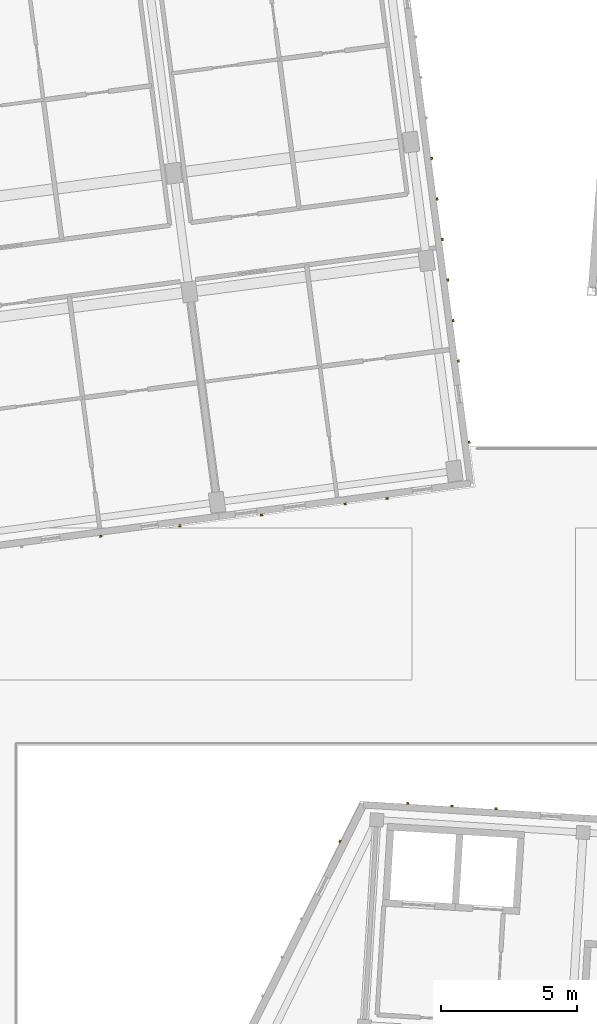
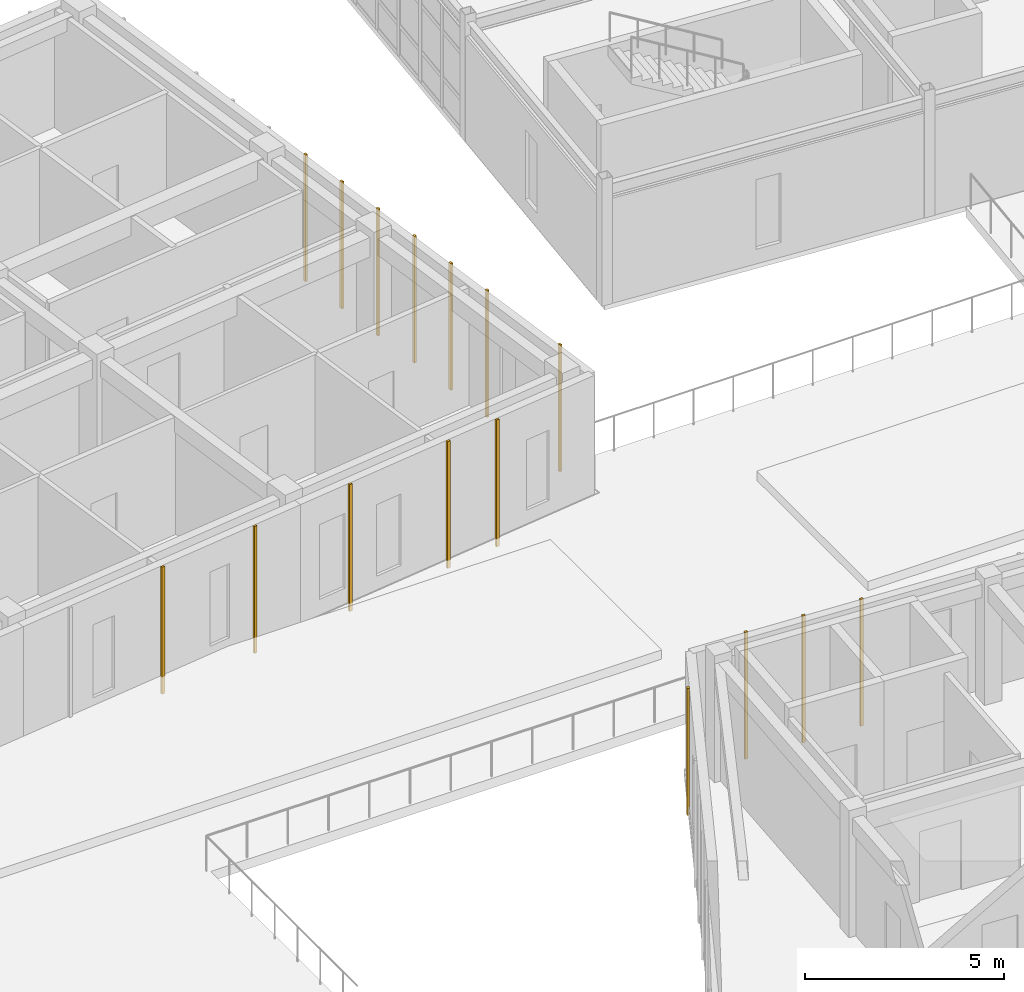
# One storey, part 127 of 150: 16 coverings.
"""IFC4 building model written with IfcOpenShell, lengths in metres."""

from ifc_helpers import new_model, si_unit, direction, frame, origin, origin_2d, place, context, subcontext, project, spatial, rectangle, extrude, material, layer, layer_set, type_object, element, save


model = new_model("IFC4")

# Units and contexts
model_context = context("Model", 3, precision=1e-05, world=origin(), true_north=direction((0.0, 1.0)))
body_context = subcontext(model_context, "Body", "Model", "MODEL_VIEW")
ifc_project = project(units=[si_unit("LENGTHUNIT", "METRE"), si_unit("AREAUNIT", "SQUARE_METRE"), si_unit("VOLUMEUNIT", "CUBIC_METRE"), si_unit("PLANEANGLEUNIT", "RADIAN"), si_unit("MASSUNIT", "GRAM", prefix="KILO")], contexts=[model_context])

# Site, building, storey
site_placement = place(None, origin())
site = spatial("IfcSite", under=ifc_project, at=site_placement, CompositionType="ELEMENT")
building_placement = place(site_placement, origin())
building = spatial("IfcBuilding", under=site, at=building_placement, Name="Kestramere Prow Commons", CompositionType="ELEMENT")
storey_placement = place(building_placement, frame((0.0, 0.0, 4.5)))
storey = spatial("IfcBuildingStorey", under=building, at=storey_placement, Name="L01", CompositionType="ELEMENT", Elevation=4.5)

# Coverings
ifc_material = material(Name="Weathered Zinc-Titanium Standing-Seam Cladding")
ifc_layer = layer(ifc_material, 0.074951171875)
ifc_layer_set = layer_set([ifc_layer], Name="Weathered Zinc-Titanium Standing-Seam Cladding")
covering_type = type_object("IfcCoveringType", Name="COV-CLAD-SEAM", PredefinedType="CLADDING", material=ifc_layer_set)
for number, where, z_axis, x_axis, name in (
    (1, (53.4580078125, 76.880126953125, -0.25), (0.0, 0.0, 1.0), (-0.991444861374, -0.13052619222, 0.0), "EW-A-L01-S-4 Standing-Seam Rib 1"),
    (2, (50.549560546875, 76.4970703125, -0.25), (0.0, 0.0, 1.0), (-0.991444861374, -0.13052619222, 0.0), "EW-A-L01-S-4 Standing-Seam Rib 3"),
    (3, (61.075439453125, 77.8828125, -0.25), (0.0, 0.0, 1.0), (-0.991444861374, -0.13052619222, 0.0), "EW-A-L01-S-5 Standing-Seam Rib 2"),
    (4, (59.53466796875, 77.679931640625, -0.25), (0.0, 0.0, 1.0), (-0.991444861374, -0.13052619222, 0.0), "EW-A-L01-S-5 Standing-Seam Rib 3"),
    (5, (56.452880859375, 77.2744140625, -0.25), (0.0, 0.0, 1.0), (-0.991444861374, -0.13052619222, 0.0), "EW-A-L01-S-5 Standing-Seam Rib 5"),
    (6, (62.718505859375, 90.38525390625, -0.25), (0.0, 0.0, 1.0), (0.13052619222, -0.991444861374, 0.0), "EW-A-L01-EAV Standing-Seam Rib 6"),
    (7, (62.914794921875, 88.894775390625, -0.25), (0.0, 0.0, 1.0), (0.13052619222, -0.991444861374, 0.0), "EW-A-L01-EAV Standing-Seam Rib 7"),
    (8, (63.111083984375, 87.404052734375, -0.25), (0.0, 0.0, 1.0), (0.13052619222, -0.991444861374, 0.0), "EW-A-L01-EAV Standing-Seam Rib 8"),
    (9, (63.30712890625, 85.913330078125, -0.25), (0.0, 0.0, 1.0), (0.13052619222, -0.991444861374, 0.0), "EW-A-L01-EAV Standing-Seam Rib 9"),
    (10, (63.50341796875, 84.422607421875, -0.25), (0.0, 0.0, 1.0), (0.13052619222, -0.991444861374, 0.0), "EW-A-L01-EAV Standing-Seam Rib 10"),
    (11, (63.69970703125, 82.931884765625, -0.25), (0.0, 0.0, 1.0), (0.13052619222, -0.991444861374, 0.0), "EW-A-L01-EAV Standing-Seam Rib 11"),
    (12, (64.09228515625, 79.950439453125, -0.25), (0.0, 0.0, 1.0), (0.13052619222, -0.991444861374, 0.0), "EW-A-L01-EAV Standing-Seam Rib 13"),
    (13, (61.8359375, 66.672607421875, -0.25), (0.0, 0.0, 1.0), (0.998134798422, -0.061048539535, 0.0), "EW-C-L01-N-0 Standing-Seam Rib 1"),
    (14, (63.457763671875, 66.5732421875, -0.25), (0.0, 0.0, 1.0), (0.998134798422, -0.061048539535, 0.0), "EW-C-L01-N-0 Standing-Seam Rib 2"),
    (15, (65.079833984375, 66.47412109375, -0.25), (0.0, 0.0, 1.0), (0.998134798422, -0.061048539535, 0.0), "EW-C-L01-N-0 Standing-Seam Rib 3"),
    (16, (59.3466796875, 65.27294921875, -0.25), (0.0, 0.0, 1.0), (0.448620327542, 0.893722441095, 0.0), "EW-C-L01-PRW-N Standing-Seam Rib 11"),
):
    element("IfcCovering", number, at=place(storey_placement, frame(where, z_axis=z_axis, x_axis=x_axis)), inside=storey, type_object=covering_type, Name=name, PredefinedType="CLADDING", context=body_context, shape_type="SweptSolid", body=[
        extrude(rectangle(XDim=0.0849609375, YDim=0.06494140625, at=origin_2d()), origin(), (0.0, 0.0, 1.0), 3.89990234375),
    ])

save(model, "model.ifc")
